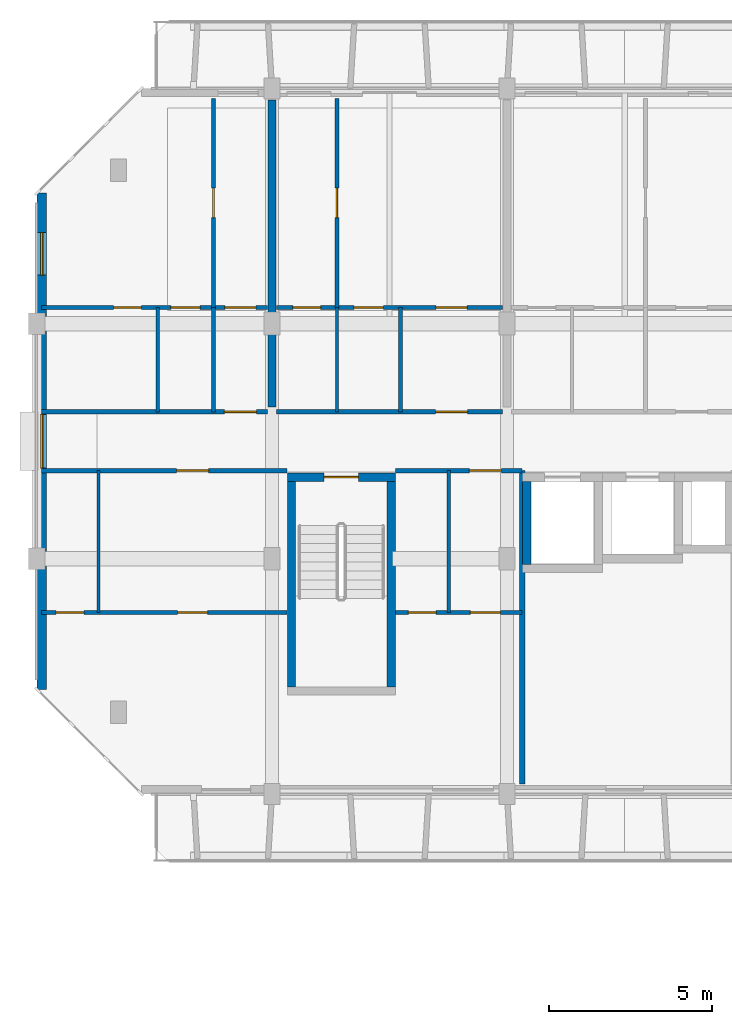
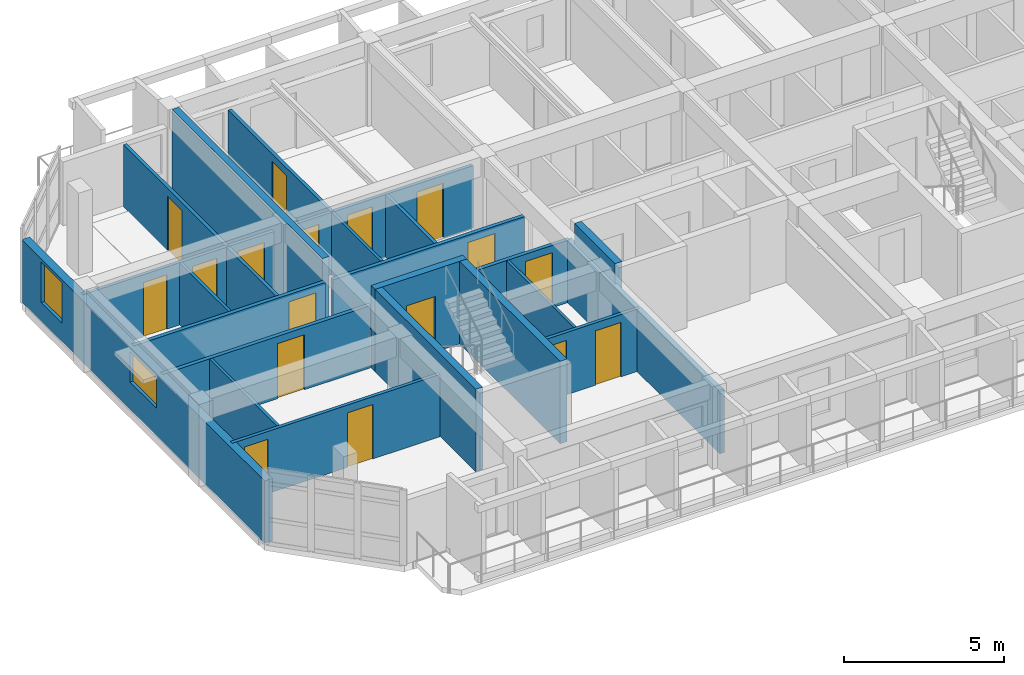
# One storey, part 36 of 64: 23 walls, 17 doors, 2 windows, 19 openings.
"""IFC4 building model written with IfcOpenShell, lengths in metres."""

import ifcopenshell
import ifcopenshell.guid

model = None  # the IFC model being written
_history = None  # IfcOwnerHistory: only IFC2X3 demands one
_inside = {}  # id of a spatial element -> (the spatial element, [elements in it])
_under = {}  # id of a project, library or spatial element -> (it, [spatial elements below it])
_declared = {}  # id of a project -> (the project, [libraries it declares])
_typed = {}  # id of a type object -> (the type object, [elements of that type])
_made_of = {}  # id of a material, layer set ... -> (it, [elements and type objects made of it])


def new_model(schema):
    """Start an empty IFC model of exactly this schema.

    Asked for "IFC4X3", IfcOpenShell would pick the latest addendum, in which some entities
    have other attributes; the version numbers below select the first issue.
    IFC2X3 requires an IfcOwnerHistory on every rooted entity: one is made here for all.
    """
    global model, _history
    if schema == "IFC4X3":
        model = ifcopenshell.file(schema_version=(4, 3, 0, 0))
    else:
        model = ifcopenshell.file(schema=schema)
    _inside.clear()
    _under.clear()
    _declared.clear()
    _typed.clear()
    _made_of.clear()
    _history = None
    if model.schema == "IFC2X3":
        org = make("IfcOrganization", Name="unknown")
        user = make(
            "IfcPersonAndOrganization",
            ThePerson=make("IfcPerson", FamilyName="unknown"),
            TheOrganization=org,
        )
        app = make(
            "IfcApplication",
            ApplicationDeveloper=org,
            Version="unknown",
            ApplicationFullName="unknown",
            ApplicationIdentifier="unknown",
        )
        _history = make(
            "IfcOwnerHistory",
            OwningUser=user,
            OwningApplication=app,
            ChangeAction="ADDED",
            CreationDate=0,
        )
    return model


def make(cls, **values):
    """One entity of the class cls with the attributes given. An attribute that is None is left unset."""
    return model.create_entity(
        cls, **{name: value for name, value in values.items() if value is not None}
    )


def rooted(cls, **values):
    """An entity with a GlobalId (a new one), such as an element, a storey or a relation."""
    return make(cls, GlobalId=ifcopenshell.guid.new(), OwnerHistory=_history, **values)


def si_unit(unit_type, name, prefix=None):
    """IfcSIUnit, for example si_unit("LENGTHUNIT", "METRE", prefix="MILLI")."""
    return make("IfcSIUnit", UnitType=unit_type, Prefix=prefix, Name=name)


def assignment(units):
    """IfcUnitAssignment: the units of a project."""
    return None if units is None else make("IfcUnitAssignment", Units=units)


def point(xyz):
    """IfcCartesianPoint."""
    return None if xyz is None else make("IfcCartesianPoint", Coordinates=xyz)


def direction(xyz):
    """IfcDirection."""
    return None if xyz is None else make("IfcDirection", DirectionRatios=xyz)


def frame(location, z_axis=None, x_axis=None):
    """IfcAxis2Placement3D, a coordinate frame: its origin and axes. An axis left out is left unset."""
    return make(
        "IfcAxis2Placement3D",
        Location=point(location),
        Axis=direction(z_axis),
        RefDirection=direction(x_axis),
    )


def frame_2d(location, x_axis=None):
    """IfcAxis2Placement2D, a coordinate frame in the plane: its origin and x axis."""
    return make(
        "IfcAxis2Placement2D", Location=point(location), RefDirection=direction(x_axis)
    )


def origin():
    """The frame at (0, 0, 0) with its axes left unset."""
    return frame((0.0, 0.0, 0.0))


def place(relative_to, where):
    """IfcLocalPlacement: puts the frame where relative to a parent placement (None: the world)."""
    return make(
        "IfcLocalPlacement", PlacementRelTo=relative_to, RelativePlacement=where
    )


def context(
    kind, dimensions, precision=None, world=None, true_north=None, identifier=None
):
    """IfcGeometricRepresentationContext, for example the 3D "Model" context."""
    return make(
        "IfcGeometricRepresentationContext",
        ContextIdentifier=identifier,
        ContextType=kind,
        CoordinateSpaceDimension=dimensions,
        Precision=precision,
        WorldCoordinateSystem=world,
        TrueNorth=true_north,
    )


def subcontext(parent, identifier, kind, view, scale=None):
    """IfcGeometricRepresentationSubContext, for example "Body" below "Model"."""
    return make(
        "IfcGeometricRepresentationSubContext",
        ContextIdentifier=identifier,
        ContextType=kind,
        ParentContext=parent,
        TargetScale=scale,
        TargetView=view,
    )


def project(units=None, contexts=None):
    """IfcProject with its units and contexts."""
    return rooted(
        "IfcProject",
        Name="project",
        RepresentationContexts=contexts,
        UnitsInContext=assignment(units),
    )


def spatial(cls, under=None, at=None, **own):
    """A site, building, storey or space (cls), placed at a placement, below another one or the project."""
    s = rooted(cls, ObjectPlacement=at, **own)
    if under is not None:
        _under.setdefault(under.id(), (under, []))[1].append(s)
    return s


def profile(cls, at=None, kind="AREA", **sizes):
    """A parametric profile (cls). Its sizes go by their IFC names, for example OverallWidth=200.0."""
    return make(cls, ProfileType=kind, Position=at, **sizes)


def rectangle(**sizes):
    """IfcRectangleProfileDef."""
    return profile("IfcRectangleProfileDef", **sizes)


def extrude(swept, where, along, depth):
    """IfcExtrudedAreaSolid: the profile swept, set in the frame where, extruded along a direction by depth."""
    return make(
        "IfcExtrudedAreaSolid",
        SweptArea=swept,
        Position=where,
        ExtrudedDirection=direction(along),
        Depth=depth,
    )


def shape(context_of_items, identifier, shape_type, items):
    """IfcShapeRepresentation: the items that make up one representation, for example the "Body"."""
    return make(
        "IfcShapeRepresentation",
        ContextOfItems=context_of_items,
        RepresentationIdentifier=identifier,
        RepresentationType=shape_type,
        Items=items,
    )


def material(Name=None, Category=None):
    """IfcMaterial."""
    return make("IfcMaterial", Name=Name, Category=Category)


def layer(
    of_material, thickness, ventilated=None, Name=None, Category=None, Priority=None
):
    """IfcMaterialLayer: one layer of a wall or slab, of a material (None: an air gap)."""
    return make(
        "IfcMaterialLayer",
        Material=of_material,
        LayerThickness=thickness,
        IsVentilated=ventilated,
        Name=Name,
        Category=Category,
        Priority=Priority,
    )


def layer_set(layers, Name=None):
    """IfcMaterialLayerSet."""
    return make("IfcMaterialLayerSet", MaterialLayers=layers, LayerSetName=Name)


def made_of(thing, what):
    """Note that an element or type object is made of a material, layer set ...; save() writes the relation."""
    if what is not None:
        _made_of.setdefault(what.id(), (what, []))[1].append(thing)
    return thing


def type_object(cls, material=None, **own):
    """A type object (cls), such as IfcWallType, which elements share."""
    return made_of(rooted(cls, **own), material)


def element(
    cls,
    number,
    at=None,
    inside=None,
    cuts=None,
    type_object=None,
    material=None,
    context=None,
    identifier="Body",
    shape_type=None,
    held_by="IfcProductDefinitionShape",
    body=None,
    shapes=None,
    **own,
):
    """One element of the class cls, such as IfcWall. Its Tag is "e" and its number.

    at: its placement. inside: the storey or other place that contains it. cuts: it is an
    opening in that element (IfcRelVoidsElement). A single representation is given by context,
    identifier, shape_type and body (its items); several are given by shapes. held_by: the class
    of the entity that holds the representations. save() writes the other relations.
    """
    e = rooted(cls, Tag="e%d" % number, ObjectPlacement=at, **own)
    if body is not None:
        shapes = [shape(context, identifier, shape_type, body)]
    if shapes is not None:
        e.Representation = make(held_by, Representations=shapes)
    if inside is not None:
        _inside.setdefault(inside.id(), (inside, []))[1].append(e)
    if cuts is not None:
        rooted(
            "IfcRelVoidsElement", RelatingBuildingElement=cuts, RelatedOpeningElement=e
        )
    if type_object is not None:
        _typed.setdefault(type_object.id(), (type_object, []))[1].append(e)
    return made_of(e, material)


def fill(opening, filler):
    """IfcRelFillsElement: the door or window that sits in an opening."""
    return rooted(
        "IfcRelFillsElement",
        RelatingOpeningElement=opening,
        RelatedBuildingElement=filler,
    )


def aggregate(whole, parts):
    """IfcRelAggregates: a whole, such as a stair, and the parts it consists of."""
    return rooted("IfcRelAggregates", RelatingObject=whole, RelatedObjects=parts)


def save(model, path):
    """Write the relations noted so far, then the file.

    IfcRelAggregates (storeys below a building ...), IfcRelContainedInSpatialStructure (elements
    in a storey), IfcRelDefinesByType, IfcRelAssociatesMaterial and IfcRelDeclares: one each for
    every whole, place, type object, material and project.
    """
    for whole, parts in _under.values():
        aggregate(whole, parts)
    for where, things in _inside.values():
        rooted(
            "IfcRelContainedInSpatialStructure",
            RelatedElements=things,
            RelatingStructure=where,
        )
    for kind, things in _typed.values():
        rooted("IfcRelDefinesByType", RelatedObjects=things, RelatingType=kind)
    for what, things in _made_of.values():
        rooted("IfcRelAssociatesMaterial", RelatedObjects=things, RelatingMaterial=what)
    for by, libraries in _declared.values():
        rooted("IfcRelDeclares", RelatingContext=by, RelatedDefinitions=libraries)
    model.write(path)


model = new_model("IFC4")

# Units and contexts
model_context = context("Model", 3, precision=1e-05, world=origin(), true_north=direction((0.0, 1.0)))
body_context = subcontext(model_context, "Body", "Model", "MODEL_VIEW")
ifc_project = project(units=[si_unit("LENGTHUNIT", "METRE"), si_unit("AREAUNIT", "SQUARE_METRE"), si_unit("VOLUMEUNIT", "CUBIC_METRE"), si_unit("PLANEANGLEUNIT", "RADIAN"), si_unit("MASSUNIT", "GRAM", prefix="KILO")], contexts=[model_context])

# Site, building, storey
site_placement = place(None, origin())
site = spatial("IfcSite", under=ifc_project, at=site_placement, CompositionType="ELEMENT")
building_placement = place(site_placement, origin())
building = spatial("IfcBuilding", under=site, at=building_placement, Name="Ochrevale Crest", CompositionType="ELEMENT")
storey_placement = place(building_placement, frame((0.0, 0.0, 8.699951171875)))
storey = spatial("IfcBuildingStorey", under=building, at=storey_placement, Name="L02", CompositionType="ELEMENT", Elevation=8.699951171875)

# Wall, opening, door
ifc_material_1 = material(Name="Gypsum plasterboard", Category="gypsum")
ifc_layer_1 = layer(ifc_material_1, 0.139892578125)
ifc_layer_set_1 = layer_set([ifc_layer_1], Name="Gypsum plasterboard")
wall_type_1 = type_object("IfcWallType", Name="WL-COR-140", PredefinedType="PARTITIONING", material=ifc_layer_set_1)
wall_1_placement = place(storey_placement, frame((0.139892578125, 83.699951171875, 0.0), z_axis=(0.0, 0.0, 1.0), x_axis=(1.0, 0.0, 0.0)))
wall_1 = element("IfcWall", 1, at=wall_1_placement, inside=storey, type_object=wall_type_1, Name="Apartment B-L02-U1 corridor wall", PredefinedType="PARTITIONING", context=body_context, shape_type="SweptSolid", body=[
    extrude(rectangle(XDim=6.920166015625, YDim=0.139892578125, at=frame_2d((3.4599609375, 0.0))), origin(), (0.0, 0.0, 1.0), 2.380126953125),
])
opening_1_placement = place(wall_1_placement, frame((5.60498046875, 0.0, 0.0)))
opening_1 = element("IfcOpeningElement", 2, at=opening_1_placement, cuts=wall_1, Name="Opening FD01", PredefinedType="OPENING", context=body_context, shape_type="SweptSolid", body=[
    extrude(rectangle(XDim=0.97998046875, YDim=2.10009765625, at=frame_2d((0.489990234375, 1.050048828125))), frame((0.0, 0.080078125, 0.0), z_axis=(0.0, -1.0, 0.0), x_axis=(1.0, 0.0, 0.0)), (0.0, 0.0, 1.0), 0.159912109375),
])
ifc_material_2 = material(Name="Solid-core FSC hardwood", Category="wood")
door_type_1 = type_object("IfcDoorType", Name="DR-APT-950", OperationType="NOTDEFINED", PredefinedType="DOOR", material=ifc_material_2)
door_1_placement = place(opening_1_placement, origin())
door_1 = element("IfcDoor", 3, at=door_1_placement, inside=storey, type_object=door_type_1, Name="Apartment B-L02-U1 entrance door", OperationType="SINGLE_SWING_LEFT", OverallHeight=2.10009765625, OverallWidth=0.97998046875, PredefinedType="DOOR", context=body_context, shape_type="SweptSolid", body=[
    extrude(rectangle(XDim=0.97998046875, YDim=2.10009765625, at=frame_2d((0.489990234375, 1.050048828125))), frame((0.0, 0.02490234375, 0.0), z_axis=(0.0, -1.0, 0.0), x_axis=(1.0, 0.0, 0.0)), (0.0, 0.0, 1.0), 0.050048828125),
])
fill(opening_1, door_1)

wall_2_placement = place(storey_placement, frame((7.340087890625, 83.699951171875, 0.0), z_axis=(0.0, 0.0, 1.0), x_axis=(1.0, 0.0, 0.0)))
wall_2 = element("IfcWall", 4, at=wall_2_placement, inside=storey, type_object=wall_type_1, Name="Apartment B-L02-U2 corridor wall", PredefinedType="PARTITIONING", context=body_context, shape_type="SweptSolid", body=[
    extrude(rectangle(XDim=6.919921875, YDim=0.139892578125, at=frame_2d((3.4599609375, 0.0))), origin(), (0.0, 0.0, 1.0), 2.380126953125),
])
opening_2_placement = place(wall_2_placement, frame((5.85009765625, 0.0, 0.0), z_axis=(0.0, 0.0, 1.0), x_axis=(-1.0, 0.0, 0.0)))
opening_2 = element("IfcOpeningElement", 5, at=opening_2_placement, cuts=wall_2, Name="Opening FD01", PredefinedType="OPENING", context=body_context, shape_type="SweptSolid", body=[
    extrude(rectangle(XDim=0.97998046875, YDim=2.10009765625, at=frame_2d((0.489990234375, 1.050048828125))), frame((0.0, 0.080078125, 0.0), z_axis=(0.0, -1.0, 0.0), x_axis=(1.0, 0.0, 0.0)), (0.0, 0.0, 1.0), 0.159912109375),
])
door_2_placement = place(opening_2_placement, origin())
door_2 = element("IfcDoor", 6, at=door_2_placement, inside=storey, type_object=door_type_1, Name="Apartment B-L02-U2 entrance door", OperationType="SINGLE_SWING_RIGHT", OverallHeight=2.10009765625, OverallWidth=0.97998046875, PredefinedType="DOOR", context=body_context, shape_type="SweptSolid", body=[
    extrude(rectangle(XDim=0.97998046875, YDim=2.10009765625, at=frame_2d((0.489990234375, 1.050048828125))), frame((0.0, 0.02490234375, 0.0), z_axis=(0.0, -1.0, 0.0), x_axis=(1.0, 0.0, 0.0)), (0.0, 0.0, 1.0), 0.050048828125),
])
fill(opening_2, door_2)

wall_3_placement = place(storey_placement, frame((0.139892578125, 81.89990234375, 0.0), z_axis=(0.0, 0.0, 1.0), x_axis=(1.0, 0.0, 0.0)))
wall_3 = element("IfcWall", 7, at=wall_3_placement, inside=storey, type_object=wall_type_1, Name="Suite B-L02-CW corridor wall", PredefinedType="PARTITIONING", context=body_context, shape_type="SweptSolid", body=[
    extrude(rectangle(XDim=7.52001953125, YDim=0.139892578125, at=frame_2d((3.760009765625, 0.0))), origin(), (0.0, 0.0, 1.0), 2.380126953125),
])
opening_3_placement = place(wall_3_placement, frame((5.125, 0.0, 0.0), z_axis=(0.0, 0.0, 1.0), x_axis=(-1.0, 0.0, 0.0)))
opening_3 = element("IfcOpeningElement", 8, at=opening_3_placement, cuts=wall_3, Name="Opening FD01", PredefinedType="OPENING", context=body_context, shape_type="SweptSolid", body=[
    extrude(rectangle(XDim=0.97998046875, YDim=2.10009765625, at=frame_2d((0.489990234375, 1.050048828125))), frame((0.0, 0.080078125, 0.0), z_axis=(0.0, -1.0, 0.0), x_axis=(1.0, 0.0, 0.0)), (0.0, 0.0, 1.0), 0.159912109375),
])
door_3_placement = place(opening_3_placement, origin())
door_3 = element("IfcDoor", 9, at=door_3_placement, inside=storey, type_object=door_type_1, Name="Suite B-L02-CW entrance door", OperationType="SINGLE_SWING_RIGHT", OverallHeight=2.10009765625, OverallWidth=0.97998046875, PredefinedType="DOOR", context=body_context, shape_type="SweptSolid", body=[
    extrude(rectangle(XDim=0.97998046875, YDim=2.10009765625, at=frame_2d((0.489990234375, 1.050048828125))), frame((0.0, 0.02490234375, 0.0), z_axis=(0.0, -1.0, 0.0), x_axis=(1.0, 0.0, 0.0)), (0.0, 0.0, 1.0), 0.050048828125),
])
fill(opening_3, door_3)

wall_4_placement = place(storey_placement, frame((10.989990234375, 81.89990234375, 0.0), z_axis=(0.0, 0.0, 1.0), x_axis=(1.0, 0.0, 0.0)))
wall_4 = element("IfcWall", 10, at=wall_4_placement, inside=storey, type_object=wall_type_1, Name="Suite B-L02-MW corridor wall", PredefinedType="PARTITIONING", context=body_context, shape_type="SweptSolid", body=[
    extrude(rectangle(XDim=3.8701171875, YDim=0.139892578125, at=frame_2d((1.93505859375, 0.0))), origin(), (0.0, 0.0, 1.0), 2.380126953125),
])
opening_4_placement = place(wall_4_placement, frame((2.2578125, 0.0, 0.0)))
opening_4 = element("IfcOpeningElement", 11, at=opening_4_placement, cuts=wall_4, Name="Opening FD01", PredefinedType="OPENING", context=body_context, shape_type="SweptSolid", body=[
    extrude(rectangle(XDim=0.97998046875, YDim=2.10009765625, at=frame_2d((0.489990234375, 1.050048828125))), frame((0.0, 0.080078125, 0.0), z_axis=(0.0, -1.0, 0.0), x_axis=(1.0, 0.0, 0.0)), (0.0, 0.0, 1.0), 0.159912109375),
])
door_4_placement = place(opening_4_placement, origin())
door_4 = element("IfcDoor", 12, at=door_4_placement, inside=storey, type_object=door_type_1, Name="Suite B-L02-MW entrance door", OperationType="SINGLE_SWING_LEFT", OverallHeight=2.10009765625, OverallWidth=0.97998046875, PredefinedType="DOOR", context=body_context, shape_type="SweptSolid", body=[
    extrude(rectangle(XDim=0.97998046875, YDim=2.10009765625, at=frame_2d((0.489990234375, 1.050048828125))), frame((0.0, 0.02490234375, 0.0), z_axis=(0.0, -1.0, 0.0), x_axis=(1.0, 0.0, 0.0)), (0.0, 0.0, 1.0), 0.050048828125),
])
fill(opening_4, door_4)

ifc_material_3 = material(Name="Precast concrete C50/60", Category="concrete")
ifc_layer_2 = layer(ifc_material_3, 0.2548828125)
ifc_layer_set_2 = layer_set([ifc_layer_2], Name="Precast concrete C50/60")
wall_type_2 = type_object("IfcWallType", Name="WL-CORE-255", PredefinedType="SHEAR", material=ifc_layer_set_2)
wall_5_placement = place(storey_placement, frame((7.672607421875, 81.699951171875, 0.0), z_axis=(0.0, 0.0, 1.0), x_axis=(1.0, 0.0, 0.0)))
wall_5 = element("IfcWall", 13, at=wall_5_placement, inside=storey, type_object=wall_type_2, Name="Block B L02 Stair 1 precast core shear wall N", PredefinedType="SHEAR", context=body_context, shape_type="SweptSolid", body=[
    extrude(rectangle(XDim=3.304931640625, YDim=0.2548828125, at=frame_2d((1.65234375, 0.0))), origin(), (0.0, 0.0, 1.0), 3.150146484375),
])
opening_5_placement = place(wall_5_placement, frame((2.177490234375, 0.0, 0.0), z_axis=(0.0, 0.0, 1.0), x_axis=(-1.0, 0.0, 0.0)))
opening_5 = element("IfcOpeningElement", 14, at=opening_5_placement, cuts=wall_5, Name="Opening FD03", PredefinedType="OPENING", context=body_context, shape_type="SweptSolid", body=[
    extrude(rectangle(XDim=1.050048828125, YDim=2.1201171875, at=frame_2d((0.52490234375, 1.06005859375))), frame((0.0, 0.137451171875, 0.0), z_axis=(0.0, -1.0, 0.0), x_axis=(1.0, 0.0, 0.0)), (0.0, 0.0, 1.0), 0.27490234375),
])
door_type_2 = type_object("IfcDoorType", Name="DR-ST-1050", OperationType="NOTDEFINED", PredefinedType="DOOR", material=ifc_material_2)
door_5_placement = place(opening_5_placement, origin())
door_5 = element("IfcDoor", 15, at=door_5_placement, inside=storey, type_object=door_type_2, Name="Block B L02 fire stair 1 door", OperationType="SINGLE_SWING_RIGHT", OverallHeight=2.1201171875, OverallWidth=1.050048828125, PredefinedType="DOOR", context=body_context, shape_type="SweptSolid", body=[
    extrude(rectangle(XDim=1.050048828125, YDim=2.1201171875, at=frame_2d((0.52490234375, 1.06005859375))), frame((0.0, 0.02490234375, 0.0), z_axis=(0.0, -1.0, 0.0), x_axis=(1.0, 0.0, 0.0)), (0.0, 0.0, 1.0), 0.050048828125),
])
fill(opening_5, door_5)

# Walls
for number, where, z_axis, x_axis, name in (
    (16, (7.800048828125, 75.277587890625, 0.0), (0.0, 0.0, 1.0), (0.0, 1.0, 0.0), "Block B L02 Stair 1 precast core shear wall W"),
    (17, (10.85009765625, 75.277587890625, 0.0), (0.0, 0.0, 1.0), (0.0, 1.0, 0.0), "Block B L02 Stair 1 precast core shear wall E"),
):
    element("IfcWall", number, at=place(storey_placement, frame(where, z_axis=z_axis, x_axis=x_axis)), inside=storey, type_object=wall_type_2, Name=name, PredefinedType="SHEAR", context=body_context, shape_type="SweptSolid", body=[
        extrude(rectangle(XDim=6.294921875, YDim=0.2548828125, at=frame_2d((3.1474609375, 0.0))), origin(), (0.0, 0.0, 1.0), 3.150146484375),
    ])
wall_6_placement = place(storey_placement, frame((15.0, 79.027587890625, 0.0), z_axis=(0.0, 0.0, 1.0), x_axis=(0.0, 1.0, 0.0)))
element("IfcWall", 18, at=wall_6_placement, inside=storey, type_object=wall_type_2, Name="Block B L02 Lift 1 precast shaft shear wall W", PredefinedType="SHEAR", context=body_context, shape_type="SweptSolid", body=[
    extrude(rectangle(XDim=2.544921875, YDim=0.2548828125, at=frame_2d((1.2724609375, 0.0))), origin(), (0.0, 0.0, 1.0), 3.150146484375),
])

# Wall, openings, windows
ifc_material_4 = material(Name="Clay face brickwork", Category="masonry")
ifc_layer_3 = layer(ifc_material_4, 0.2900390625)
ifc_layer_set_3 = layer_set([ifc_layer_3], Name="Clay face brickwork")
wall_type_3 = type_object("IfcWallType", Name="WL-EXT-BRICK-290", PredefinedType="SOLIDWALL", material=ifc_layer_set_3)
wall_7_placement = place(storey_placement, frame((0.14501953125, 90.39990234375, 0.0), z_axis=(0.0, 0.0, 1.0), x_axis=(0.0, -1.0, 0.0)))
wall_7 = element("IfcWall", 19, at=wall_7_placement, inside=storey, type_object=wall_type_3, Name="Block B L02 external facade wall E7", PredefinedType="SOLIDWALL", context=body_context, shape_type="SweptSolid", body=[
    extrude(rectangle(XDim=15.199951171875, YDim=0.2900390625, at=frame_2d((7.60009765625, 0.0))), origin(), (0.0, 0.0, 1.0), 2.380126953125),
])
opening_6_placement = place(wall_7_placement, frame((6.77490234375, 0.0, 1.050048828125)))
opening_6 = element("IfcOpeningElement", 20, at=opening_6_placement, cuts=wall_7, Name="Opening W19", PredefinedType="OPENING", context=body_context, shape_type="SweptSolid", body=[
    extrude(rectangle(XDim=1.64990234375, YDim=1.14990234375, at=frame_2d((0.824951171875, 0.574951171875))), frame((0.0, 0.155029296875, 0.0), z_axis=(0.0, -1.0, 0.0), x_axis=(1.0, 0.0, 0.0)), (0.0, 0.0, 1.0), 0.31005859375),
])
opening_7_placement = place(wall_7_placement, frame((1.215087890625, 0.0, 0.719970703125)))
opening_7 = element("IfcOpeningElement", 21, at=opening_7_placement, cuts=wall_7, Name="Opening W30", PredefinedType="OPENING", context=body_context, shape_type="SweptSolid", body=[
    extrude(rectangle(XDim=1.300048828125, YDim=1.550048828125, at=frame_2d((0.64990234375, 0.77490234375))), frame((0.0, 0.155029296875, 0.0), z_axis=(0.0, -1.0, 0.0), x_axis=(1.0, 0.0, 0.0)), (0.0, 0.0, 1.0), 0.31005859375),
])
ifc_material_5 = material(Name="Anodised aluminium 6063-T5 and low-E double glazing", Category="aluminium")
window_type_1 = type_object("IfcWindowType", Name="WIN-W19", PartitioningType="SINGLE_PANEL", PredefinedType="WINDOW", material=ifc_material_5)
window_1_placement = place(opening_6_placement, origin())
window_1 = element("IfcWindow", 22, at=window_1_placement, inside=storey, type_object=window_type_1, Name="Block B L02 corridor end daylight window W", OverallHeight=1.14990234375, OverallWidth=1.64990234375, PartitioningType="SINGLE_PANEL", PredefinedType="WINDOW", context=body_context, shape_type="SweptSolid", body=[
    extrude(rectangle(XDim=1.64990234375, YDim=1.14990234375, at=frame_2d((0.824951171875, 0.574951171875))), frame((0.0, 0.030029296875, 0.0), z_axis=(0.0, -1.0, 0.0), x_axis=(1.0, 0.0, 0.0)), (0.0, 0.0, 1.0), 0.06005859375),
])
fill(opening_6, window_1)
window_type_2 = type_object("IfcWindowType", Name="WIN-W30", PartitioningType="SINGLE_PANEL", PredefinedType="WINDOW", material=ifc_material_5)
window_2_placement = place(opening_7_placement, origin())
window_2 = element("IfcWindow", 23, at=window_2_placement, inside=storey, type_object=window_type_2, Name="Block B L02 side suite window W", OverallHeight=1.550048828125, OverallWidth=1.300048828125, PartitioningType="SINGLE_PANEL", PredefinedType="WINDOW", context=body_context, shape_type="SweptSolid", body=[
    extrude(rectangle(XDim=1.300048828125, YDim=1.550048828125, at=frame_2d((0.64990234375, 0.77490234375))), frame((0.0, 0.030029296875, 0.0), z_axis=(0.0, -1.0, 0.0), x_axis=(1.0, 0.0, 0.0)), (0.0, 0.0, 1.0), 0.06005859375),
])
fill(opening_7, window_2)

# Wall
ifc_layer_4 = layer(ifc_material_1, 0.1201171875)
ifc_layer_set_4 = layer_set([ifc_layer_4], Name="Gypsum plasterboard")
wall_type_4 = type_object("IfcWallType", Name="WL-PART-120", PredefinedType="PARTITIONING", material=ifc_layer_set_4)
wall_8_placement = place(storey_placement, frame((5.409912109375, 83.699951171875, 0.0), z_axis=(0.0, 0.0, 1.0), x_axis=(0.0, 1.0, 0.0)))
element("IfcWall", 24, at=wall_8_placement, inside=storey, type_object=wall_type_4, Name="Apartment B-L02-U1 kitchen-foyer wall", PredefinedType="PARTITIONING", context=body_context, shape_type="SweptSolid", body=[
    extrude(rectangle(XDim=3.199951171875, YDim=0.1201171875, at=frame_2d((1.60009765625, 0.0))), origin(), (0.0, 0.0, 1.0), 2.375),
])

# Wall, openings, doors
wall_9_placement = place(storey_placement, frame((0.139892578125, 86.89990234375, 0.0), z_axis=(0.0, 0.0, 1.0), x_axis=(1.0, 0.0, 0.0)))
wall_9 = element("IfcWall", 25, at=wall_9_placement, inside=storey, type_object=wall_type_4, Name="Apartment B-L02-U1 central partition", PredefinedType="PARTITIONING", context=body_context, shape_type="SweptSolid", body=[
    extrude(rectangle(XDim=6.920166015625, YDim=0.1201171875, at=frame_2d((3.4599609375, 0.0))), origin(), (0.0, 0.0, 1.0), 2.380126953125),
])
opening_8_placement = place(wall_9_placement, frame((3.06005859375, 0.0, 0.0), z_axis=(0.0, 0.0, 1.0), x_axis=(-1.0, 0.0, 0.0)))
opening_8 = element("IfcOpeningElement", 26, at=opening_8_placement, cuts=wall_9, Name="Opening ID01", PredefinedType="OPENING", context=body_context, shape_type="SweptSolid", body=[
    extrude(rectangle(XDim=0.85009765625, YDim=2.080078125, at=frame_2d((0.425048828125, 1.0400390625))), frame((0.0, 0.070068359375, 0.0), z_axis=(0.0, -1.0, 0.0), x_axis=(1.0, 0.0, 0.0)), (0.0, 0.0, 1.0), 0.14013671875),
])
opening_9_placement = place(wall_9_placement, frame((3.965087890625, 0.0, 0.0)))
opening_9 = element("IfcOpeningElement", 27, at=opening_9_placement, cuts=wall_9, Name="Opening ID02", PredefinedType="OPENING", context=body_context, shape_type="SweptSolid", body=[
    extrude(rectangle(XDim=0.89990234375, YDim=2.080078125, at=frame_2d((0.449951171875, 1.0400390625))), frame((0.0, 0.070068359375, 0.0), z_axis=(0.0, -1.0, 0.0), x_axis=(1.0, 0.0, 0.0)), (0.0, 0.0, 1.0), 0.14013671875),
])
opening_10_placement = place(wall_9_placement, frame((6.570068359375, 0.0, 0.0), z_axis=(0.0, 0.0, 1.0), x_axis=(-1.0, 0.0, 0.0)))
opening_10 = element("IfcOpeningElement", 28, at=opening_10_placement, cuts=wall_9, Name="Opening ID06", PredefinedType="OPENING", context=body_context, shape_type="SweptSolid", body=[
    extrude(rectangle(XDim=0.949951171875, YDim=2.080078125, at=frame_2d((0.47509765625, 1.0400390625))), frame((0.0, 0.070068359375, 0.0), z_axis=(0.0, -1.0, 0.0), x_axis=(1.0, 0.0, 0.0)), (0.0, 0.0, 1.0), 0.14013671875),
])
door_type_3 = type_object("IfcDoorType", Name="DR-INT-900", OperationType="NOTDEFINED", PredefinedType="DOOR", material=ifc_material_2)
door_6_placement = place(opening_9_placement, origin())
door_6 = element("IfcDoor", 29, at=door_6_placement, inside=storey, type_object=door_type_3, Name="Apartment B-L02-U1 Kitchen door", OperationType="SINGLE_SWING_LEFT", OverallHeight=2.080078125, OverallWidth=0.89990234375, PredefinedType="DOOR", context=body_context, shape_type="SweptSolid", body=[
    extrude(rectangle(XDim=0.89990234375, YDim=2.080078125, at=frame_2d((0.449951171875, 1.0400390625))), frame((0.0, 0.02490234375, 0.0), z_axis=(0.0, -1.0, 0.0), x_axis=(1.0, 0.0, 0.0)), (0.0, 0.0, 1.0), 0.050048828125),
])
fill(opening_9, door_6)
door_type_4 = type_object("IfcDoorType", Name="DR-INT-950", OperationType="NOTDEFINED", PredefinedType="DOOR", material=ifc_material_2)
door_7_placement = place(opening_10_placement, origin())
door_7 = element("IfcDoor", 30, at=door_7_placement, inside=storey, type_object=door_type_4, Name="Apartment B-L02-U1 Living Foyer door", OperationType="SINGLE_SWING_RIGHT", OverallHeight=2.080078125, OverallWidth=0.949951171875, PredefinedType="DOOR", context=body_context, shape_type="SweptSolid", body=[
    extrude(rectangle(XDim=0.949951171875, YDim=2.080078125, at=frame_2d((0.47509765625, 1.0400390625))), frame((0.0, 0.02490234375, 0.0), z_axis=(0.0, -1.0, 0.0), x_axis=(1.0, 0.0, 0.0)), (0.0, 0.0, 1.0), 0.050048828125),
])
fill(opening_10, door_7)
door_type_5 = type_object("IfcDoorType", Name="DR-WC-850", OperationType="NOTDEFINED", PredefinedType="DOOR", material=ifc_material_2)
door_8_placement = place(opening_8_placement, origin())
door_8 = element("IfcDoor", 31, at=door_8_placement, inside=storey, type_object=door_type_5, Name="Apartment B-L02-U1 Bathroom door", OperationType="SINGLE_SWING_RIGHT", OverallHeight=2.080078125, OverallWidth=0.85009765625, PredefinedType="DOOR", context=body_context, shape_type="SweptSolid", body=[
    extrude(rectangle(XDim=0.85009765625, YDim=2.080078125, at=frame_2d((0.425048828125, 1.0400390625))), frame((0.0, 0.02490234375, 0.0), z_axis=(0.0, -1.0, 0.0), x_axis=(1.0, 0.0, 0.0)), (0.0, 0.0, 1.0), 0.050048828125),
])
fill(opening_8, door_8)

# Wall, opening, door
wall_10_placement = place(storey_placement, frame((5.409912109375, 86.89990234375, 0.0), z_axis=(0.0, 0.0, 1.0), x_axis=(0.0, 1.0, 0.0)))
wall_10 = element("IfcWall", 32, at=wall_10_placement, inside=storey, type_object=wall_type_4, Name="Apartment B-L02-U1 bedroom partition", PredefinedType="PARTITIONING", context=body_context, shape_type="SweptSolid", body=[
    extrude(rectangle(XDim=6.400146484375, YDim=0.1201171875, at=frame_2d((3.2001953125, 0.0))), origin(), (0.0, 0.0, 1.0), 2.380126953125),
])
opening_11_placement = place(wall_10_placement, frame((2.75, 0.0, 0.0)))
opening_11 = element("IfcOpeningElement", 33, at=opening_11_placement, cuts=wall_10, Name="Opening ID02", PredefinedType="OPENING", context=body_context, shape_type="SweptSolid", body=[
    extrude(rectangle(XDim=0.89990234375, YDim=2.080078125, at=frame_2d((0.449951171875, 1.0400390625))), frame((0.0, 0.070068359375, 0.0), z_axis=(0.0, -1.0, 0.0), x_axis=(1.0, 0.0, 0.0)), (0.0, 0.0, 1.0), 0.14013671875),
])
door_9_placement = place(opening_11_placement, origin())
door_9 = element("IfcDoor", 34, at=door_9_placement, inside=storey, type_object=door_type_3, Name="Apartment B-L02-U1 Double Bedroom door", OperationType="SINGLE_SWING_LEFT", OverallHeight=2.080078125, OverallWidth=0.89990234375, PredefinedType="DOOR", context=body_context, shape_type="SweptSolid", body=[
    extrude(rectangle(XDim=0.89990234375, YDim=2.080078125, at=frame_2d((0.449951171875, 1.0400390625))), frame((0.0, 0.02490234375, 0.0), z_axis=(0.0, -1.0, 0.0), x_axis=(1.0, 0.0, 0.0)), (0.0, 0.0, 1.0), 0.050048828125),
])
fill(opening_11, door_9)

# Wall
wall_11_placement = place(storey_placement, frame((11.139892578125, 83.699951171875, 0.0), z_axis=(0.0, 0.0, 1.0), x_axis=(0.0, 1.0, 0.0)))
element("IfcWall", 35, at=wall_11_placement, inside=storey, type_object=wall_type_4, Name="Apartment B-L02-U2 kitchen-foyer wall", PredefinedType="PARTITIONING", context=body_context, shape_type="SweptSolid", body=[
    extrude(rectangle(XDim=3.199951171875, YDim=0.1201171875, at=frame_2d((1.60009765625, 0.0))), origin(), (0.0, 0.0, 1.0), 2.375),
])

# Wall, openings, doors
wall_12_placement = place(storey_placement, frame((7.340087890625, 86.89990234375, 0.0), z_axis=(0.0, 0.0, 1.0), x_axis=(1.0, 0.0, 0.0)))
wall_12 = element("IfcWall", 36, at=wall_12_placement, inside=storey, type_object=wall_type_4, Name="Apartment B-L02-U2 central partition", PredefinedType="PARTITIONING", context=body_context, shape_type="SweptSolid", body=[
    extrude(rectangle(XDim=6.919921875, YDim=0.1201171875, at=frame_2d((3.4599609375, 0.0))), origin(), (0.0, 0.0, 1.0), 2.380126953125),
])
opening_12_placement = place(wall_12_placement, frame((0.5, 0.0, 0.0)))
opening_12 = element("IfcOpeningElement", 37, at=opening_12_placement, cuts=wall_12, Name="Opening ID01", PredefinedType="OPENING", context=body_context, shape_type="SweptSolid", body=[
    extrude(rectangle(XDim=0.85009765625, YDim=2.080078125, at=frame_2d((0.425048828125, 1.0400390625))), frame((0.0, 0.070068359375, 0.0), z_axis=(0.0, -1.0, 0.0), x_axis=(1.0, 0.0, 0.0)), (0.0, 0.0, 1.0), 0.14013671875),
])
opening_13_placement = place(wall_12_placement, frame((3.27490234375, 0.0, 0.0), z_axis=(0.0, 0.0, 1.0), x_axis=(-1.0, 0.0, 0.0)))
opening_13 = element("IfcOpeningElement", 38, at=opening_13_placement, cuts=wall_12, Name="Opening ID02", PredefinedType="OPENING", context=body_context, shape_type="SweptSolid", body=[
    extrude(rectangle(XDim=0.89990234375, YDim=2.080078125, at=frame_2d((0.449951171875, 1.0400390625))), frame((0.0, 0.070068359375, 0.0), z_axis=(0.0, -1.0, 0.0), x_axis=(1.0, 0.0, 0.0)), (0.0, 0.0, 1.0), 0.14013671875),
])
opening_14_placement = place(wall_12_placement, frame((4.885009765625, 0.0, 0.0)))
opening_14 = element("IfcOpeningElement", 39, at=opening_14_placement, cuts=wall_12, Name="Opening ID06", PredefinedType="OPENING", context=body_context, shape_type="SweptSolid", body=[
    extrude(rectangle(XDim=0.949951171875, YDim=2.080078125, at=frame_2d((0.47509765625, 1.0400390625))), frame((0.0, 0.070068359375, 0.0), z_axis=(0.0, -1.0, 0.0), x_axis=(1.0, 0.0, 0.0)), (0.0, 0.0, 1.0), 0.14013671875),
])
door_10_placement = place(opening_13_placement, origin())
door_10 = element("IfcDoor", 40, at=door_10_placement, inside=storey, type_object=door_type_3, Name="Apartment B-L02-U2 Kitchen door", OperationType="SINGLE_SWING_RIGHT", OverallHeight=2.080078125, OverallWidth=0.89990234375, PredefinedType="DOOR", context=body_context, shape_type="SweptSolid", body=[
    extrude(rectangle(XDim=0.89990234375, YDim=2.080078125, at=frame_2d((0.449951171875, 1.0400390625))), frame((0.0, 0.02490234375, 0.0), z_axis=(0.0, -1.0, 0.0), x_axis=(1.0, 0.0, 0.0)), (0.0, 0.0, 1.0), 0.050048828125),
])
fill(opening_13, door_10)
door_11_placement = place(opening_14_placement, origin())
door_11 = element("IfcDoor", 41, at=door_11_placement, inside=storey, type_object=door_type_4, Name="Apartment B-L02-U2 Living Foyer door", OperationType="SINGLE_SWING_LEFT", OverallHeight=2.080078125, OverallWidth=0.949951171875, PredefinedType="DOOR", context=body_context, shape_type="SweptSolid", body=[
    extrude(rectangle(XDim=0.949951171875, YDim=2.080078125, at=frame_2d((0.47509765625, 1.0400390625))), frame((0.0, 0.02490234375, 0.0), z_axis=(0.0, -1.0, 0.0), x_axis=(1.0, 0.0, 0.0)), (0.0, 0.0, 1.0), 0.050048828125),
])
fill(opening_14, door_11)
door_12_placement = place(opening_12_placement, origin())
door_12 = element("IfcDoor", 42, at=door_12_placement, inside=storey, type_object=door_type_5, Name="Apartment B-L02-U2 Bathroom door", OperationType="SINGLE_SWING_LEFT", OverallHeight=2.080078125, OverallWidth=0.85009765625, PredefinedType="DOOR", context=body_context, shape_type="SweptSolid", body=[
    extrude(rectangle(XDim=0.85009765625, YDim=2.080078125, at=frame_2d((0.425048828125, 1.0400390625))), frame((0.0, 0.02490234375, 0.0), z_axis=(0.0, -1.0, 0.0), x_axis=(1.0, 0.0, 0.0)), (0.0, 0.0, 1.0), 0.050048828125),
])
fill(opening_12, door_12)

# Wall, opening, door
wall_13_placement = place(storey_placement, frame((9.18994140625, 86.89990234375, 0.0), z_axis=(0.0, 0.0, 1.0), x_axis=(0.0, 1.0, 0.0)))
wall_13 = element("IfcWall", 43, at=wall_13_placement, inside=storey, type_object=wall_type_4, Name="Apartment B-L02-U2 bedroom partition", PredefinedType="PARTITIONING", context=body_context, shape_type="SweptSolid", body=[
    extrude(rectangle(XDim=6.400146484375, YDim=0.1201171875, at=frame_2d((3.2001953125, 0.0))), origin(), (0.0, 0.0, 1.0), 2.380126953125),
])
opening_15_placement = place(wall_13_placement, frame((3.64990234375, 0.0, 0.0), z_axis=(0.0, 0.0, 1.0), x_axis=(-1.0, 0.0, 0.0)))
opening_15 = element("IfcOpeningElement", 44, at=opening_15_placement, cuts=wall_13, Name="Opening ID02", PredefinedType="OPENING", context=body_context, shape_type="SweptSolid", body=[
    extrude(rectangle(XDim=0.89990234375, YDim=2.080078125, at=frame_2d((0.449951171875, 1.0400390625))), frame((0.0, 0.070068359375, 0.0), z_axis=(0.0, -1.0, 0.0), x_axis=(1.0, 0.0, 0.0)), (0.0, 0.0, 1.0), 0.14013671875),
])
door_13_placement = place(opening_15_placement, origin())
door_13 = element("IfcDoor", 45, at=door_13_placement, inside=storey, type_object=door_type_3, Name="Apartment B-L02-U2 Master Bedroom door", OperationType="SINGLE_SWING_RIGHT", OverallHeight=2.080078125, OverallWidth=0.89990234375, PredefinedType="DOOR", context=body_context, shape_type="SweptSolid", body=[
    extrude(rectangle(XDim=0.89990234375, YDim=2.080078125, at=frame_2d((0.449951171875, 1.0400390625))), frame((0.0, 0.02490234375, 0.0), z_axis=(0.0, -1.0, 0.0), x_axis=(1.0, 0.0, 0.0)), (0.0, 0.0, 1.0), 0.050048828125),
])
fill(opening_15, door_13)

# Wall, openings, doors
wall_14_placement = place(storey_placement, frame((0.139892578125, 77.550048828125, 0.0), z_axis=(0.0, 0.0, 1.0), x_axis=(1.0, 0.0, 0.0)))
wall_14 = element("IfcWall", 46, at=wall_14_placement, inside=storey, type_object=wall_type_4, Name="Suite B-L02-CW internal wall", PredefinedType="PARTITIONING", context=body_context, shape_type="SweptSolid", body=[
    extrude(rectangle(XDim=7.52001953125, YDim=0.1201171875, at=frame_2d((3.760009765625, 0.0))), origin(), (0.0, 0.0, 1.0), 2.380126953125),
])
opening_16_placement = place(wall_14_placement, frame((0.449951171875, 0.0, 0.0)))
opening_16 = element("IfcOpeningElement", 47, at=opening_16_placement, cuts=wall_14, Name="Opening ID01", PredefinedType="OPENING", context=body_context, shape_type="SweptSolid", body=[
    extrude(rectangle(XDim=0.85009765625, YDim=2.080078125, at=frame_2d((0.425048828125, 1.0400390625))), frame((0.0, 0.070068359375, 0.0), z_axis=(0.0, -1.0, 0.0), x_axis=(1.0, 0.0, 0.0)), (0.0, 0.0, 1.0), 0.14013671875),
])
opening_17_placement = place(wall_14_placement, frame((5.094970703125, 0.0, 0.0), z_axis=(0.0, 0.0, 1.0), x_axis=(-1.0, 0.0, 0.0)))
opening_17 = element("IfcOpeningElement", 48, at=opening_17_placement, cuts=wall_14, Name="Opening ID04", PredefinedType="OPENING", context=body_context, shape_type="SweptSolid", body=[
    extrude(rectangle(XDim=0.919921875, YDim=2.080078125, at=frame_2d((0.4599609375, 1.0400390625))), frame((0.0, 0.070068359375, 0.0), z_axis=(0.0, -1.0, 0.0), x_axis=(1.0, 0.0, 0.0)), (0.0, 0.0, 1.0), 0.14013671875),
])
door_type_6 = type_object("IfcDoorType", Name="DR-INT-920", OperationType="NOTDEFINED", PredefinedType="DOOR", material=ifc_material_2)
door_14_placement = place(opening_17_placement, origin())
door_14 = element("IfcDoor", 49, at=door_14_placement, inside=storey, type_object=door_type_6, Name="Suite B-L02-CW Quiet Reading Room door", OperationType="SINGLE_SWING_RIGHT", OverallHeight=2.080078125, OverallWidth=0.919921875, PredefinedType="DOOR", context=body_context, shape_type="SweptSolid", body=[
    extrude(rectangle(XDim=0.919921875, YDim=2.080078125, at=frame_2d((0.4599609375, 1.0400390625))), frame((0.0, 0.02490234375, 0.0), z_axis=(0.0, -1.0, 0.0), x_axis=(1.0, 0.0, 0.0)), (0.0, 0.0, 1.0), 0.050048828125),
])
fill(opening_17, door_14)
door_15_placement = place(opening_16_placement, origin())
door_15 = element("IfcDoor", 50, at=door_15_placement, inside=storey, type_object=door_type_5, Name="Suite B-L02-CW Bathroom door", OperationType="SINGLE_SWING_LEFT", OverallHeight=2.080078125, OverallWidth=0.85009765625, PredefinedType="DOOR", context=body_context, shape_type="SweptSolid", body=[
    extrude(rectangle(XDim=0.85009765625, YDim=2.080078125, at=frame_2d((0.425048828125, 1.0400390625))), frame((0.0, 0.02490234375, 0.0), z_axis=(0.0, -1.0, 0.0), x_axis=(1.0, 0.0, 0.0)), (0.0, 0.0, 1.0), 0.050048828125),
])
fill(opening_16, door_15)

wall_15_placement = place(storey_placement, frame((10.989990234375, 77.550048828125, 0.0), z_axis=(0.0, 0.0, 1.0), x_axis=(1.0, 0.0, 0.0)))
wall_15 = element("IfcWall", 51, at=wall_15_placement, inside=storey, type_object=wall_type_4, Name="Suite B-L02-MW internal wall", PredefinedType="PARTITIONING", context=body_context, shape_type="SweptSolid", body=[
    extrude(rectangle(XDim=3.8701171875, YDim=0.1201171875, at=frame_2d((1.93505859375, 0.0))), origin(), (0.0, 0.0, 1.0), 2.380126953125),
])
opening_18_placement = place(wall_15_placement, frame((1.23779296875, 0.0, 0.0), z_axis=(0.0, 0.0, 1.0), x_axis=(-1.0, 0.0, 0.0)))
opening_18 = element("IfcOpeningElement", 52, at=opening_18_placement, cuts=wall_15, Name="Opening ID01", PredefinedType="OPENING", context=body_context, shape_type="SweptSolid", body=[
    extrude(rectangle(XDim=0.85009765625, YDim=2.080078125, at=frame_2d((0.425048828125, 1.0400390625))), frame((0.0, 0.070068359375, 0.0), z_axis=(0.0, -1.0, 0.0), x_axis=(1.0, 0.0, 0.0)), (0.0, 0.0, 1.0), 0.14013671875),
])
opening_19_placement = place(wall_15_placement, frame((2.28759765625, 0.0, 0.0)))
opening_19 = element("IfcOpeningElement", 53, at=opening_19_placement, cuts=wall_15, Name="Opening ID04", PredefinedType="OPENING", context=body_context, shape_type="SweptSolid", body=[
    extrude(rectangle(XDim=0.919921875, YDim=2.080078125, at=frame_2d((0.4599609375, 1.0400390625))), frame((0.0, 0.070068359375, 0.0), z_axis=(0.0, -1.0, 0.0), x_axis=(1.0, 0.0, 0.0)), (0.0, 0.0, 1.0), 0.14013671875),
])
door_16_placement = place(opening_19_placement, origin())
door_16 = element("IfcDoor", 54, at=door_16_placement, inside=storey, type_object=door_type_6, Name="Suite B-L02-MW Courtyard Studio Living door", OperationType="SINGLE_SWING_LEFT", OverallHeight=2.080078125, OverallWidth=0.919921875, PredefinedType="DOOR", context=body_context, shape_type="SweptSolid", body=[
    extrude(rectangle(XDim=0.919921875, YDim=2.080078125, at=frame_2d((0.4599609375, 1.0400390625))), frame((0.0, 0.02490234375, 0.0), z_axis=(0.0, -1.0, 0.0), x_axis=(1.0, 0.0, 0.0)), (0.0, 0.0, 1.0), 0.050048828125),
])
fill(opening_19, door_16)
door_17_placement = place(opening_18_placement, origin())
door_17 = element("IfcDoor", 55, at=door_17_placement, inside=storey, type_object=door_type_5, Name="Suite B-L02-MW Bathroom door", OperationType="SINGLE_SWING_RIGHT", OverallHeight=2.080078125, OverallWidth=0.85009765625, PredefinedType="DOOR", context=body_context, shape_type="SweptSolid", body=[
    extrude(rectangle(XDim=0.85009765625, YDim=2.080078125, at=frame_2d((0.425048828125, 1.0400390625))), frame((0.0, 0.02490234375, 0.0), z_axis=(0.0, -1.0, 0.0), x_axis=(1.0, 0.0, 0.0)), (0.0, 0.0, 1.0), 0.050048828125),
])
fill(opening_18, door_17)

# Walls
ifc_layer_5 = layer(ifc_material_3, 0.239990234375)
ifc_layer_set_5 = layer_set([ifc_layer_5], Name="Precast concrete C50/60")
wall_type_5 = type_object("IfcWallType", Name="WL-SHEAR-240", PredefinedType="SHEAR", material=ifc_layer_set_5)
wall_16_placement = place(storey_placement, frame((7.199951171875, 83.85009765625, 0.0), z_axis=(0.0, 0.0, 1.0), x_axis=(0.0, 1.0, 0.0)))
element("IfcWall", 56, at=wall_16_placement, inside=storey, type_object=wall_type_5, Name="Block B L02 load-bearing precast cross-wall X=7.2", PredefinedType="SHEAR", context=body_context, shape_type="SweptSolid", body=[
    extrude(rectangle(XDim=9.39990234375, YDim=0.239990234375, at=frame_2d((4.699951171875, 0.0))), origin(), (0.0, 0.0, 1.0), 3.150146484375),
])
ifc_layer_6 = layer(ifc_material_1, 0.169921875)
ifc_layer_set_6 = layer_set([ifc_layer_6], Name="Gypsum plasterboard")
wall_type_6 = type_object("IfcWallType", Name="WL-TEN-170", PredefinedType="PARTITIONING", material=ifc_layer_set_6)
wall_17_placement = place(storey_placement, frame((14.860107421875, 72.300048828125, 0.0), z_axis=(0.0, 0.0, 1.0), x_axis=(0.0, 1.0, 0.0)))
element("IfcWall", 57, at=wall_17_placement, inside=storey, type_object=wall_type_6, Name="Suite B-L02-MW east party wall", PredefinedType="PARTITIONING", context=body_context, shape_type="SweptSolid", body=[
    extrude(rectangle(XDim=9.599853515625, YDim=0.169921875, at=frame_2d((4.7998046875, 0.0))), origin(), (0.0, 0.0, 1.0), 2.380126953125),
])
ifc_layer_7 = layer(ifc_material_1, 0.10009765625)
ifc_layer_set_7 = layer_set([ifc_layer_7], Name="Gypsum plasterboard")
wall_type_7 = type_object("IfcWallType", Name="WL-WET-100", PredefinedType="PARTITIONING", material=ifc_layer_set_7)
for number, where, z_axis, x_axis, name in (
    (58, (3.699951171875, 83.699951171875, 0.0), (0.0, 0.0, 1.0), (0.0, 1.0, 0.0), "Apartment B-L02-U1 bath-kitchen wall"),
    (59, (9.18994140625, 83.699951171875, 0.0), (0.0, 0.0, 1.0), (0.0, 1.0, 0.0), "Apartment B-L02-U2 bath-kitchen wall"),
):
    element("IfcWall", number, at=place(storey_placement, frame(where, z_axis=z_axis, x_axis=x_axis)), inside=storey, type_object=wall_type_7, Name=name, PredefinedType="PARTITIONING", context=body_context, shape_type="SweptSolid", body=[
        extrude(rectangle(XDim=3.199951171875, YDim=0.10009765625, at=frame_2d((1.60009765625, 0.0))), origin(), (0.0, 0.0, 1.0), 2.375),
    ])
for number, where, z_axis, x_axis, name in (
    (60, (1.889892578125, 77.550048828125, 0.0), (0.0, 0.0, 1.0), (0.0, 1.0, 0.0), "Suite B-L02-CW bathroom divider"),
    (61, (12.615478515625, 77.550048828125, 0.0), (0.0, 0.0, 1.0), (0.0, 1.0, 0.0), "Suite B-L02-MW bathroom divider"),
):
    element("IfcWall", number, at=place(storey_placement, frame(where, z_axis=z_axis, x_axis=x_axis)), inside=storey, type_object=wall_type_7, Name=name, PredefinedType="PARTITIONING", context=body_context, shape_type="SweptSolid", body=[
        extrude(rectangle(XDim=4.349853515625, YDim=0.10009765625, at=frame_2d((2.1748046875, 0.0))), origin(), (0.0, 0.0, 1.0), 2.375),
    ])

save(model, "model.ifc")
